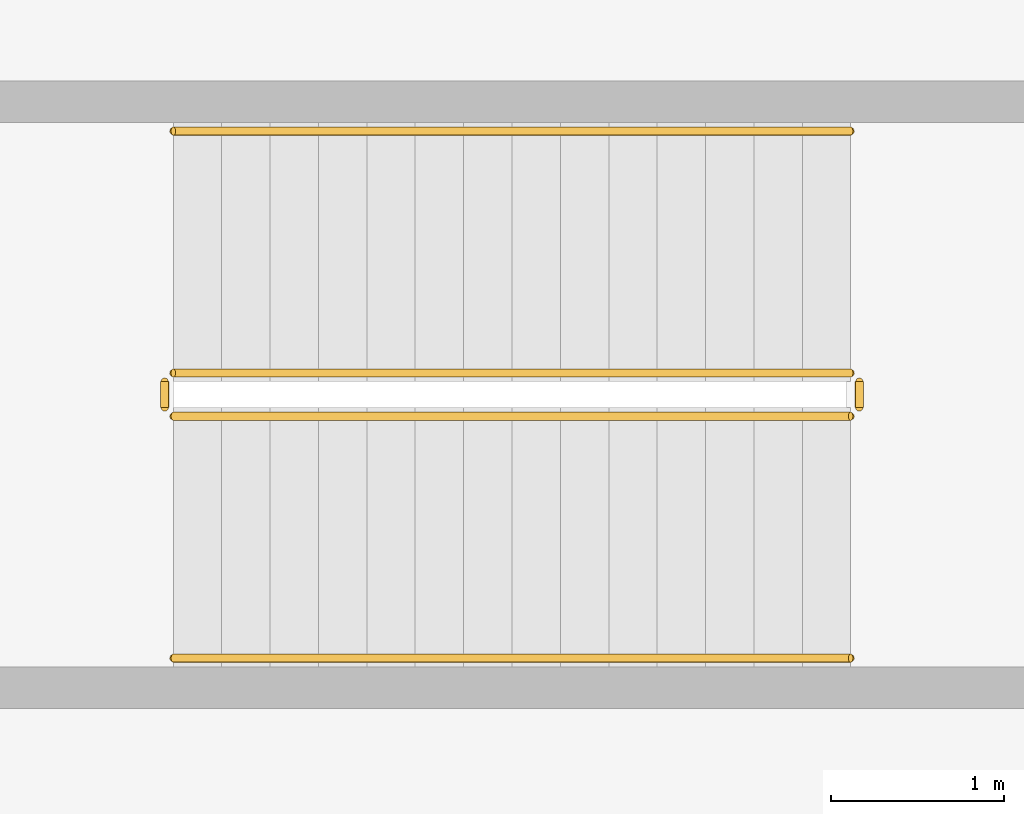
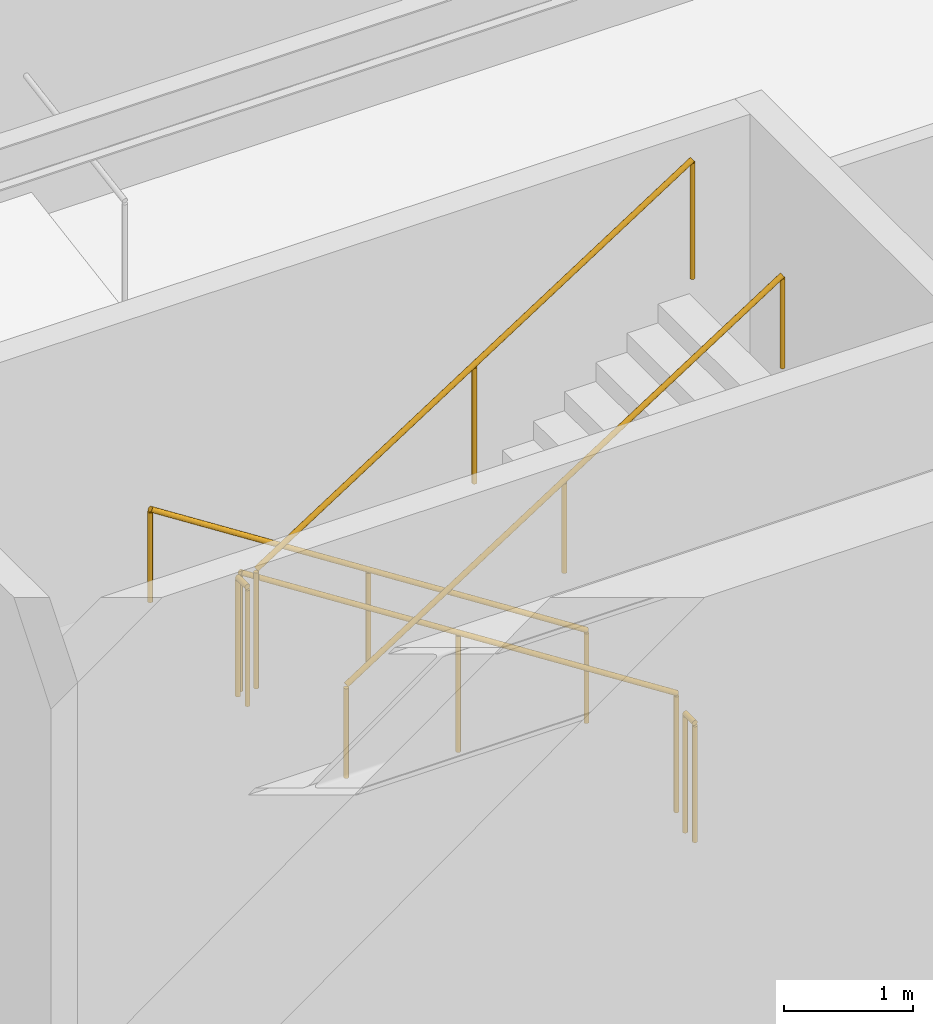
# One storey, part 22 of 25: 6 railings.
"""IFC4 building model written with IfcOpenShell, lengths in metres."""

from ifc_helpers import new_model, si_unit, direction, frame, origin, origin_2d, place, context, subcontext, project, spatial, circle, extrude, material, type_object, element, save


model = new_model("IFC4")

# Units and contexts
model_context = context("Model", 3, precision=1e-05, world=origin(), true_north=direction((0.0, 1.0)))
body_context = subcontext(model_context, "Body", "Model", "MODEL_VIEW")
ifc_project = project(units=[si_unit("LENGTHUNIT", "METRE"), si_unit("AREAUNIT", "SQUARE_METRE"), si_unit("VOLUMEUNIT", "CUBIC_METRE"), si_unit("PLANEANGLEUNIT", "RADIAN"), si_unit("MASSUNIT", "GRAM", prefix="KILO")], contexts=[model_context])

# Site, building, storey
site_placement = place(None, origin())
site = spatial("IfcSite", under=ifc_project, at=site_placement, CompositionType="ELEMENT")
building_placement = place(site_placement, origin())
building = spatial("IfcBuilding", under=site, at=building_placement, Name="Soratama Intermodal Tower", CompositionType="ELEMENT")
storey_placement = place(building_placement, frame((0.0, 0.0, -5.39990234375)))
storey = spatial("IfcBuildingStorey", under=building, at=storey_placement, Name="B1", CompositionType="ELEMENT", Elevation=-5.39990234375)

# Railings
ifc_material_1 = material(Name="Painted steel stair guardrail", Category="steel")
railing_type_1 = type_object("IfcRailingType", Name="RL-STAIR-GUARD", PredefinedType="GUARDRAIL", material=ifc_material_1)
railing_1_placement = place(storey_placement, frame((9.5, 6.050048828125, 0.179931640625)))
element("IfcRailing", 1, at=railing_1_placement, inside=storey, type_object=railing_type_1, Name="B1 ST-3 stair guard 1", PredefinedType="GUARDRAIL", context=body_context, shape_type="SweptSolid", body=[
    extrude(circle(Radius=0.02392578125, at=origin_2d()), frame((0.0, 0.0, 1.1259765625), z_axis=(-0.841171666519, 0.0, 0.540768182723), x_axis=(0.0, -1.0, 0.0)), (0.0, 0.0, 1.0), 4.66015625),
    extrude(circle(Radius=0.02099609375, at=origin_2d()), origin(), (0.0, 0.0, 1.0), 1.101806640625),
    extrude(circle(Radius=0.02099609375, at=origin_2d()), frame((-1.9599609375, 0.0, 1.260009765625)), (0.0, 0.0, 1.0), 1.101806640625),
    extrude(circle(Radius=0.02099609375, at=origin_2d()), frame((-3.919921875, 0.0, 2.52001953125)), (0.0, 0.0, 1.0), 1.101806640625),
])
railing_2_placement = place(storey_placement, frame((5.530029296875, 6.0, 2.699951171875)))
element("IfcRailing", 2, at=railing_2_placement, inside=storey, type_object=railing_type_1, Name="B1 ST-3 stair guard 2", PredefinedType="GUARDRAIL", context=body_context, shape_type="SweptSolid", body=[
    extrude(circle(Radius=0.02392578125, at=origin_2d()), frame((0.0, 0.0, 1.1259765625), z_axis=(0.0, -1.0, 0.0), x_axis=(1.0, 0.0, 0.0)), (0.0, 0.0, 1.0), 0.14990234375),
    extrude(circle(Radius=0.02099609375, at=origin_2d()), origin(), (0.0, 0.0, 1.0), 1.101806640625),
    extrude(circle(Radius=0.02099609375, at=origin_2d()), frame((0.0, -0.14990234375, 0.0)), (0.0, 0.0, 1.0), 1.101806640625),
])
railing_3_placement = place(storey_placement, frame((5.580078125, 5.800048828125, 2.8798828125)))
element("IfcRailing", 3, at=railing_3_placement, inside=storey, type_object=railing_type_1, Name="B1 ST-3 stair guard 3", PredefinedType="GUARDRAIL", context=body_context, shape_type="SweptSolid", body=[
    extrude(circle(Radius=0.02392578125, at=origin_2d()), frame((0.0, 0.0, 1.1259765625), z_axis=(0.841171666519, 0.0, 0.540768182723), x_axis=(0.0, 1.0, 0.0)), (0.0, 0.0, 1.0), 4.66015625),
    extrude(circle(Radius=0.02099609375, at=origin_2d()), origin(), (0.0, 0.0, 1.0), 1.101806640625),
    extrude(circle(Radius=0.02099609375, at=origin_2d()), frame((1.9599609375, 0.0, 1.260009765625)), (0.0, 0.0, 1.0), 1.101806640625),
    extrude(circle(Radius=0.02099609375, at=origin_2d()), frame((3.919921875, 0.0, 2.52001953125)), (0.0, 0.0, 1.0), 1.101806640625),
])
railing_4_placement = place(storey_placement, frame((9.550048828125, 6.0, 0.0)))
element("IfcRailing", 4, at=railing_4_placement, inside=storey, type_object=railing_type_1, Name="B1 ST-3 stair guard 4", PredefinedType="GUARDRAIL", context=body_context, shape_type="SweptSolid", body=[
    extrude(circle(Radius=0.02392578125, at=origin_2d()), frame((0.0, 0.0, 1.1259765625), z_axis=(0.0, -1.0, 0.0), x_axis=(1.0, 0.0, 0.0)), (0.0, 0.0, 1.0), 0.14990234375),
    extrude(circle(Radius=0.02099609375, at=origin_2d()), origin(), (0.0, 0.0, 1.0), 1.101806640625),
    extrude(circle(Radius=0.02099609375, at=origin_2d()), frame((0.0, -0.14990234375, 0.0)), (0.0, 0.0, 1.0), 1.101806640625),
])
ifc_material_2 = material(Name="Brushed stainless steel handrail", Category="steel")
railing_type_2 = type_object("IfcRailingType", Name="RL-STAIR-HAND", PredefinedType="HANDRAIL", material=ifc_material_2)
railing_5_placement = place(storey_placement, frame((9.5, 7.449951171875, 0.179931640625)))
element("IfcRailing", 5, at=railing_5_placement, inside=storey, type_object=railing_type_2, Name="B1 ST-3 stair handrail 1", PredefinedType="HANDRAIL", context=body_context, shape_type="SweptSolid", body=[
    extrude(circle(Radius=0.02392578125, at=origin_2d()), frame((0.0, 0.0, 0.8759765625), z_axis=(-0.841171666519, 0.0, 0.540768182723), x_axis=(0.0, -1.0, 0.0)), (0.0, 0.0, 1.0), 4.66015625),
    extrude(circle(Radius=0.02099609375, at=origin_2d()), origin(), (0.0, 0.0, 1.0), 0.851806640625),
    extrude(circle(Radius=0.02099609375, at=origin_2d()), frame((-1.9599609375, 0.0, 1.260009765625)), (0.0, 0.0, 1.0), 0.851806640625),
    extrude(circle(Radius=0.02099609375, at=origin_2d()), frame((-3.919921875, 0.0, 2.52001953125)), (0.0, 0.0, 1.0), 0.851806640625),
])
railing_6_placement = place(storey_placement, frame((5.580078125, 4.39990234375, 2.8798828125)))
element("IfcRailing", 6, at=railing_6_placement, inside=storey, type_object=railing_type_2, Name="B1 ST-3 stair handrail 2", PredefinedType="HANDRAIL", context=body_context, shape_type="SweptSolid", body=[
    extrude(circle(Radius=0.02392578125, at=origin_2d()), frame((0.0, 0.0, 0.8759765625), z_axis=(0.841171666519, 0.0, 0.540768182723), x_axis=(0.0, 1.0, 0.0)), (0.0, 0.0, 1.0), 4.66015625),
    extrude(circle(Radius=0.02099609375, at=origin_2d()), origin(), (0.0, 0.0, 1.0), 0.851806640625),
    extrude(circle(Radius=0.02099609375, at=origin_2d()), frame((1.9599609375, 0.0, 1.260009765625)), (0.0, 0.0, 1.0), 0.851806640625),
    extrude(circle(Radius=0.02099609375, at=origin_2d()), frame((3.919921875, 0.0, 2.52001953125)), (0.0, 0.0, 1.0), 0.851806640625),
])

save(model, "model.ifc")
